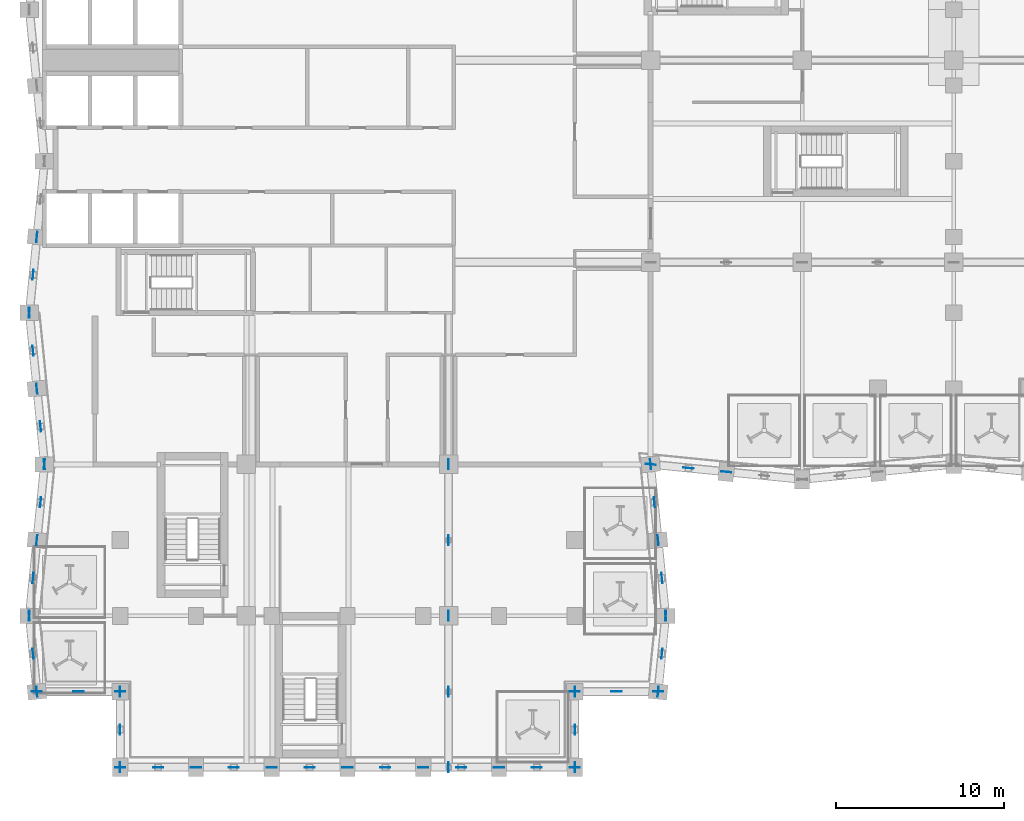
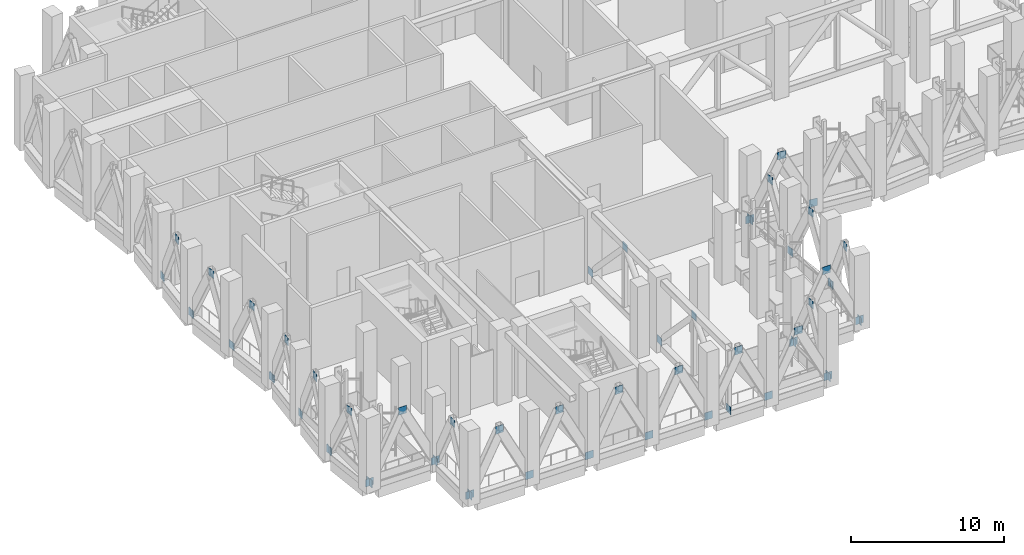
# One storey, part 19 of 28: 57 discrete accessories.
"""IFC4 building model written with IfcOpenShell, lengths in metres."""

from ifc_helpers import new_model, si_unit, direction, frame, origin, origin_2d, place, context, subcontext, project, spatial, rectangle, extrude, material, layer, layer_set, type_object, element, save


model = new_model("IFC4")

# Units and contexts
model_context = context("Model", 3, precision=1e-05, world=origin(), true_north=direction((0.0, 1.0)))
body_context = subcontext(model_context, "Body", "Model", "MODEL_VIEW")
ifc_project = project(units=[si_unit("LENGTHUNIT", "METRE"), si_unit("AREAUNIT", "SQUARE_METRE"), si_unit("VOLUMEUNIT", "CUBIC_METRE"), si_unit("PLANEANGLEUNIT", "RADIAN"), si_unit("MASSUNIT", "GRAM", prefix="KILO")], contexts=[model_context])

# Site, building, storey
site_placement = place(None, origin())
site = spatial("IfcSite", under=ifc_project, at=site_placement, CompositionType="ELEMENT")
building_placement = place(site_placement, origin())
building = spatial("IfcBuilding", under=site, at=building_placement, Name="Brondeck Convention Tower", CompositionType="ELEMENT")
storey_placement = place(building_placement, frame((0.0, 0.0, 192.800048828125)))
storey = spatial("IfcBuildingStorey", under=building, at=storey_placement, Name="L47", CompositionType="ELEMENT", Elevation=192.800048828125)

# Discrete accessories
ifc_material = material(Name="Steel S460", Category="steel")
ifc_layer = layer(ifc_material, 0.02490234375)
ifc_layer_set = layer_set([ifc_layer], Name="Gusset plate 600x600x25 Steel S460")
discrete_accessory_type = type_object("IfcDiscreteAccessoryType", Name="Gusset plate 600x600x25 Steel S460", PredefinedType="BRACKET", material=ifc_layer_set)
for number, where, z_axis, x_axis, name in (
    (1, (4.5, 9.0, 0.199951171875), (0.0, 0.0, 1.0), (1.0, 0.0, 0.0), "Gusset plate GP-514"),
    (2, (6.75, 9.0, 4.61572265625), (0.0, 0.0, 1.0), (1.0, 0.0, 0.0), "Gusset plate GP-515"),
    (3, (9.0, 9.0, 0.199951171875), (0.0, 0.0, 1.0), (1.0, 0.0, 0.0), "Gusset plate GP-516"),
    (4, (11.25, 9.0, 4.61572265625), (0.0, 0.0, 1.0), (1.0, 0.0, 0.0), "Gusset plate GP-517"),
    (5, (13.5, 9.0, 0.199951171875), (0.0, 0.0, 1.0), (1.0, 0.0, 0.0), "Gusset plate GP-518"),
    (6, (15.75, 9.0, 4.61572265625), (0.0, 0.0, 1.0), (1.0, 0.0, 0.0), "Gusset plate GP-519"),
    (7, (18.0, 9.0, 0.199951171875), (0.0, 0.0, 1.0), (1.0, 0.0, 0.0), "Gusset plate GP-520"),
    (8, (20.25, 9.0, 4.61572265625), (0.0, 0.0, 1.0), (1.0, 0.0, 0.0), "Gusset plate GP-521"),
    (9, (22.5, 9.0, 0.199951171875), (0.0, 0.0, 1.0), (1.0, 0.0, 0.0), "Gusset plate GP-522"),
    (10, (24.75, 9.0, 4.61572265625), (0.0, 0.0, 1.0), (1.0, 0.0, 0.0), "Gusset plate GP-523"),
    (11, (27.0, 9.0, 0.199951171875), (0.0, 0.0, 1.0), (1.0, 0.0, 0.0), "Gusset plate GP-524"),
    (12, (29.25, 9.0, 4.61572265625), (0.0, 0.0, 1.0), (1.0, 0.0, 0.0), "Gusset plate GP-525"),
    (13, (31.5, 9.0, 0.199951171875), (0.0, 0.0, 1.0), (1.0, 0.0, 0.0), "Gusset plate GP-526"),
    (14, (31.5, 9.0, 0.199951171875), (0.0, 0.0, 1.0), (0.0, 1.0, 0.0), "Gusset plate GP-527"),
    (15, (31.5, 11.25, 4.61572265625), (0.0, 0.0, 1.0), (0.0, 1.0, 0.0), "Gusset plate GP-528"),
    (16, (31.5, 13.5, 0.199951171875), (0.0, 0.0, 1.0), (0.0, 1.0, 0.0), "Gusset plate GP-529"),
    (17, (31.5, 13.5, 0.199951171875), (0.0, 0.0, 1.0), (1.0, 0.0, 0.0), "Gusset plate GP-530"),
    (18, (33.97509765625, 13.5, 5.0498046875), (0.0, 0.0, 1.0), (1.0, 0.0, 0.0), "Gusset plate GP-531"),
    (19, (36.449951171875, 13.5, 0.199951171875), (0.0, 0.0, 1.0), (1.0, 0.0, 0.0), "Gusset plate GP-532"),
    (20, (36.449951171875, 13.5, 0.199951171875), (0.0, 0.0, 1.0), (0.099510784867, 0.9950364836, 0.0), "Gusset plate GP-533"),
    (21, (36.675048828125, 15.75, 4.6376953125), (0.0, 0.0, 1.0), (0.099510784867, 0.9950364836, 0.0), "Gusset plate GP-534"),
    (22, (36.89990234375, 18.0, 0.199951171875), (0.0, 0.0, 1.0), (0.099510784867, 0.9950364836, 0.0), "Gusset plate GP-535"),
    (23, (36.89990234375, 18.0, 0.199951171875), (0.0, 0.0, 1.0), (-0.099510784867, 0.9950364836, 0.0), "Gusset plate GP-536"),
    (24, (36.675048828125, 20.25, 4.6376953125), (0.0, 0.0, 1.0), (-0.099510784867, 0.9950364836, 0.0), "Gusset plate GP-537"),
    (25, (36.449951171875, 22.5, 0.199951171875), (0.0, 0.0, 1.0), (-0.099510784867, 0.9950364836, 0.0), "Gusset plate GP-538"),
    (26, (36.22509765625, 24.75, 4.6376953125), (0.0, 0.0, 1.0), (-0.099510784867, 0.9950364836, 0.0), "Gusset plate GP-539"),
    (27, (36.0, 27.0, 0.199951171875), (0.0, 0.0, 1.0), (-0.099510784867, 0.9950364836, 0.0), "Gusset plate GP-540"),
    (28, (36.0, 27.0, 0.199951171875), (0.0, 0.0, 1.0), (-0.9950364836, 0.099510784867, 0.0), "Gusset plate GP-541"),
    (29, (38.25, 26.77490234375, 4.6376953125), (0.0, 0.0, 1.0), (-0.9950364836, 0.099510784867, 0.0), "Gusset plate GP-542"),
    (30, (40.5, 26.550048828125, 0.199951171875), (0.0, 0.0, 1.0), (-0.9950364836, 0.099510784867, 0.0), "Gusset plate GP-543"),
    (31, (-0.449951171875, 40.5, 0.199951171875), (0.0, 0.0, 1.0), (0.099510784867, 0.9950364836, 0.0), "Gusset plate GP-626"),
    (32, (-0.675048828125, 38.25, 4.6376953125), (0.0, 0.0, 1.0), (0.099510784867, 0.9950364836, 0.0), "Gusset plate GP-627"),
    (33, (-0.89990234375, 36.0, 0.199951171875), (0.0, 0.0, 1.0), (0.099510784867, 0.9950364836, 0.0), "Gusset plate GP-628"),
    (34, (-0.89990234375, 36.0, 0.199951171875), (0.0, 0.0, 1.0), (-0.099510784867, 0.9950364836, 0.0), "Gusset plate GP-629"),
    (35, (-0.675048828125, 33.75, 4.6376953125), (0.0, 0.0, 1.0), (-0.099510784867, 0.9950364836, 0.0), "Gusset plate GP-630"),
    (36, (-0.449951171875, 31.5, 0.199951171875), (0.0, 0.0, 1.0), (-0.099510784867, 0.9950364836, 0.0), "Gusset plate GP-631"),
    (37, (-0.22509765625, 29.25, 4.6376953125), (0.0, 0.0, 1.0), (-0.099510784867, 0.9950364836, 0.0), "Gusset plate GP-632"),
    (38, (0.0, 27.0, 0.199951171875), (0.0, 0.0, 1.0), (-0.099510784867, 0.9950364836, 0.0), "Gusset plate GP-633"),
    (39, (0.0, 27.0, 0.199951171875), (0.0, 0.0, 1.0), (0.099510784867, 0.9950364836, 0.0), "Gusset plate GP-634"),
    (40, (-0.22509765625, 24.75, 4.6376953125), (0.0, 0.0, 1.0), (0.099510784867, 0.9950364836, 0.0), "Gusset plate GP-635"),
    (41, (-0.449951171875, 22.5, 0.199951171875), (0.0, 0.0, 1.0), (0.099510784867, 0.9950364836, 0.0), "Gusset plate GP-636"),
    (42, (-0.675048828125, 20.25, 4.6376953125), (0.0, 0.0, 1.0), (0.099510784867, 0.9950364836, 0.0), "Gusset plate GP-637"),
    (43, (-0.89990234375, 18.0, 0.199951171875), (0.0, 0.0, 1.0), (0.099510784867, 0.9950364836, 0.0), "Gusset plate GP-638"),
    (44, (-0.89990234375, 18.0, 0.199951171875), (0.0, 0.0, 1.0), (-0.099510784867, 0.9950364836, 0.0), "Gusset plate GP-639"),
    (45, (-0.675048828125, 15.75, 4.6376953125), (0.0, 0.0, 1.0), (-0.099510784867, 0.9950364836, 0.0), "Gusset plate GP-640"),
    (46, (-0.449951171875, 13.5, 0.199951171875), (0.0, 0.0, 1.0), (-0.099510784867, 0.9950364836, 0.0), "Gusset plate GP-641"),
    (47, (-0.449951171875, 13.5, 0.199951171875), (0.0, 0.0, 1.0), (1.0, 0.0, 0.0), "Gusset plate GP-642"),
    (48, (2.02490234375, 13.5, 5.0498046875), (0.0, 0.0, 1.0), (1.0, 0.0, 0.0), "Gusset plate GP-643"),
    (49, (4.5, 13.5, 0.199951171875), (0.0, 0.0, 1.0), (1.0, 0.0, 0.0), "Gusset plate GP-644"),
    (50, (4.5, 13.5, 0.199951171875), (0.0, 0.0, 1.0), (0.0, 1.0, 0.0), "Gusset plate GP-645"),
    (51, (4.5, 11.25, 4.61572265625), (0.0, 0.0, 1.0), (0.0, 1.0, 0.0), "Gusset plate GP-646"),
    (52, (4.5, 9.0, 0.199951171875), (0.0, 0.0, 1.0), (0.0, 1.0, 0.0), "Gusset plate GP-647"),
    (53, (24.0, 27.0, 0.199951171875), (0.0, 0.0, 1.0), (0.0, 1.0, 0.0), "Gusset plate GP-655"),
    (54, (24.0, 22.5, 4.89990234375), (0.0, 0.0, 1.0), (0.0, 1.0, 0.0), "Gusset plate GP-656"),
    (55, (24.0, 18.0, 0.199951171875), (0.0, 0.0, 1.0), (0.0, 1.0, 0.0), "Gusset plate GP-657"),
    (56, (24.0, 13.5, 4.89990234375), (0.0, 0.0, 1.0), (0.0, 1.0, 0.0), "Gusset plate GP-658"),
    (57, (24.0, 9.0, 0.199951171875), (0.0, 0.0, 1.0), (0.0, 1.0, 0.0), "Gusset plate GP-659"),
):
    element("IfcDiscreteAccessory", number, at=place(storey_placement, frame(where, z_axis=z_axis, x_axis=x_axis)), inside=storey, type_object=discrete_accessory_type, Name=name, PredefinedType="BRACKET", context=body_context, shape_type="SweptSolid", body=[
        extrude(rectangle(XDim=0.60009765625, YDim=0.02490234375, at=origin_2d()), origin(), (0.0, 0.0, 1.0), 0.60009765625),
    ])

save(model, "model.ifc")
